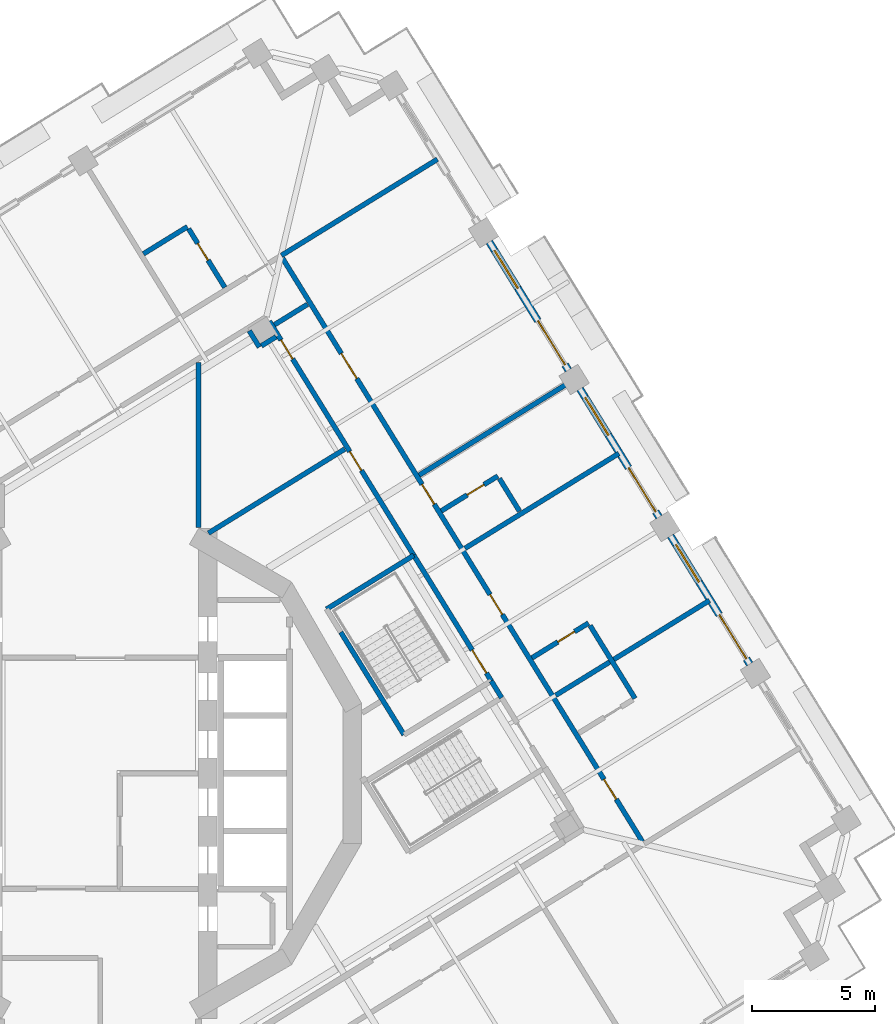
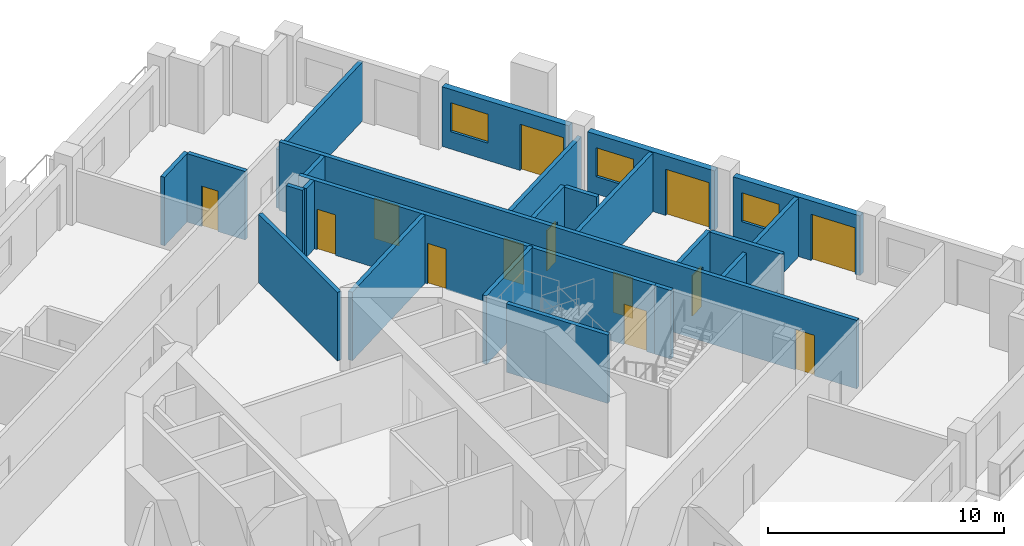
# One storey, part 12 of 22: 24 walls, 13 doors, 3 windows, 16 openings.
"""IFC4 building model written with IfcOpenShell, lengths in metres."""

from ifc_helpers import new_model, si_unit, direction, frame, frame_2d, origin, place, context, subcontext, project, spatial, rectangle, extrude, material, layer, layer_set, type_object, element, fill, save


model = new_model("IFC4")

# Units and contexts
model_context = context("Model", 3, precision=1e-05, world=origin(), true_north=direction((0.0, 1.0)))
body_context = subcontext(model_context, "Body", "Model", "MODEL_VIEW")
ifc_project = project(units=[si_unit("LENGTHUNIT", "METRE"), si_unit("AREAUNIT", "SQUARE_METRE"), si_unit("VOLUMEUNIT", "CUBIC_METRE"), si_unit("PLANEANGLEUNIT", "RADIAN"), si_unit("MASSUNIT", "GRAM", prefix="KILO")], contexts=[model_context])

# Site, building, storey
site_placement = place(None, origin())
site = spatial("IfcSite", under=ifc_project, at=site_placement, CompositionType="ELEMENT")
building_placement = place(site_placement, origin())
building = spatial("IfcBuilding", under=site, at=building_placement, Name="Cantera Rosa Tower", CompositionType="ELEMENT")
storey_placement = place(building_placement, frame((0.0, 0.0, 166.60009765625)))
storey = spatial("IfcBuildingStorey", under=building, at=storey_placement, Name="L36", CompositionType="ELEMENT", Elevation=166.60009765625)

# Walls
ifc_material_1 = material(Name="Gypsum board partition")
ifc_layer_1 = layer(ifc_material_1, 0.199951171875)
ifc_layer_set_1 = layer_set([ifc_layer_1], Name="CORRIDOR WALL 200 H3550")
wall_type_1 = type_object("IfcWallType", Name="CORRIDOR WALL 200 H3550", PredefinedType="PARTITIONING", material=ifc_layer_set_1)
wall_1_placement = place(storey_placement, frame((4.0, 9.994140625, 0.0), z_axis=(0.0, 0.0, 1.0), x_axis=(0.0, 1.0, 0.0)))
element("IfcWall", 1, at=wall_1_placement, inside=storey, type_object=wall_type_1, Name="CORRIDOR WALL L36-078", PredefinedType="PARTITIONING", context=body_context, shape_type="SweptSolid", body=[
    extrude(rectangle(XDim=6.7060546875, YDim=0.199951171875, at=frame_2d((3.35302734375, 0.0))), origin(), (0.0, 0.0, 1.0), 3.5498046875),
])
wall_2_placement = place(storey_placement, frame((7.08154296875, 18.234619140625, 0.0), z_axis=(0.0, 0.0, 1.0), x_axis=(0.8511858258, 0.524864449127, 0.0)))
element("IfcWall", 2, at=wall_2_placement, inside=storey, type_object=wall_type_1, Name="CORRIDOR WALL L36-091", PredefinedType="PARTITIONING", context=body_context, shape_type="SweptSolid", body=[
    extrude(rectangle(XDim=1.580078125, YDim=0.199951171875, at=frame_2d((0.7900390625, 0.0))), origin(), (0.0, 0.0, 1.0), 3.5498046875),
])

# Wall, openings, doors
wall_3_placement = place(storey_placement, frame((12.74560546875, 8.861328125, 0.0), z_axis=(0.0, 0.0, 1.0), x_axis=(-0.524978093765, 0.851115738937, 0.0)))
wall_3 = element("IfcWall", 3, at=wall_3_placement, inside=storey, type_object=wall_type_1, Name="CORRIDOR WALL L36-106", PredefinedType="PARTITIONING", context=body_context, shape_type="SweptSolid", body=[
    extrude(rectangle(XDim=11.17919921875, YDim=0.199951171875, at=frame_2d((5.589599609375, 0.0))), origin(), (0.0, 0.0, 1.0), 3.5498046875),
])
opening_1_placement = place(wall_3_placement, frame((4.055419921875, 0.0, 0.0)))
opening_1 = element("IfcOpeningElement", 4, at=opening_1_placement, cuts=wall_3, Name="Opening L36-005", PredefinedType="OPENING", context=body_context, shape_type="SweptSolid", body=[
    extrude(rectangle(XDim=0.89990234375, YDim=2.10009765625, at=frame_2d((0.449951171875, 1.050048828125))), frame((0.0, 0.10986328125, 0.0), z_axis=(0.0, -1.0, 0.0), x_axis=(1.0, 0.0, 0.0)), (0.0, 0.0, 1.0), 0.219970703125),
])
opening_2_placement = place(wall_3_placement, frame((9.38037109375, 0.0, 0.0)))
opening_2 = element("IfcOpeningElement", 5, at=opening_2_placement, cuts=wall_3, Name="Opening L36-006", PredefinedType="OPENING", context=body_context, shape_type="SweptSolid", body=[
    extrude(rectangle(XDim=0.89990234375, YDim=2.10009765625, at=frame_2d((0.449951171875, 1.050048828125))), frame((0.0, 0.10986328125, 0.0), z_axis=(0.0, -1.0, 0.0), x_axis=(1.0, 0.0, 0.0)), (0.0, 0.0, 1.0), 0.219970703125),
])
ifc_material_2 = material(Name="Timber door leaf", Category="wood")
door_type_1 = type_object("IfcDoorType", Name="SERVICE DOOR 900x2100", OperationType="NOTDEFINED", PredefinedType="DOOR", material=ifc_material_2)
door_1_placement = place(opening_1_placement, origin())
door_1 = element("IfcDoor", 6, at=door_1_placement, inside=storey, type_object=door_type_1, Name="DOOR L36-005", OperationType="NOTDEFINED", OverallHeight=2.10009765625, OverallWidth=0.89990234375, PredefinedType="DOOR", context=body_context, shape_type="SweptSolid", body=[
    extrude(rectangle(XDim=0.89990234375, YDim=2.10009765625, at=frame_2d((0.449951171875, 1.050048828125))), frame((0.0, 0.02490234375, 0.0), z_axis=(0.0, -1.0, 0.0), x_axis=(1.0, 0.0, 0.0)), (0.0, 0.0, 1.0), 0.050048828125),
])
fill(opening_1, door_1)
door_2_placement = place(opening_2_placement, origin())
door_2 = element("IfcDoor", 7, at=door_2_placement, inside=storey, type_object=door_type_1, Name="DOOR L36-006", OperationType="NOTDEFINED", OverallHeight=2.10009765625, OverallWidth=0.89990234375, PredefinedType="DOOR", context=body_context, shape_type="SweptSolid", body=[
    extrude(rectangle(XDim=0.89990234375, YDim=2.10009765625, at=frame_2d((0.449951171875, 1.050048828125))), frame((0.0, 0.02490234375, 0.0), z_axis=(0.0, -1.0, 0.0), x_axis=(1.0, 0.0, 0.0)), (0.0, 0.0, 1.0), 0.050048828125),
])
fill(opening_2, door_2)

# Wall
wall_4_placement = place(storey_placement, frame((16.31591796875, 3.072998046875, 0.0), z_axis=(0.0, 0.0, 1.0), x_axis=(-0.524947597637, 0.85113454855, 0.0)))
element("IfcWall", 8, at=wall_4_placement, inside=storey, type_object=wall_type_1, Name="CORRIDOR WALL L36-114", PredefinedType="PARTITIONING", context=body_context, shape_type="SweptSolid", body=[
    extrude(rectangle(XDim=0.80078125, YDim=0.199951171875, at=frame_2d((0.400390625, 0.0))), origin(), (0.0, 0.0, 1.0), 3.5498046875),
])

# Wall, openings, doors
wall_5_placement = place(storey_placement, frame((22.037109375, -2.77392578125, 0.0), z_axis=(0.0, 0.0, 1.0), x_axis=(-0.524972822247, 0.851118990448, 0.0)))
wall_5 = element("IfcWall", 9, at=wall_5_placement, inside=storey, type_object=wall_type_1, Name="CORRIDOR WALL L36-126", PredefinedType="PARTITIONING", context=body_context, shape_type="SweptSolid", body=[
    extrude(rectangle(XDim=27.85986328125, YDim=0.199951171875, at=frame_2d((13.929931640625, 0.0))), origin(), (0.0, 0.0, 1.0), 3.5498046875),
])
opening_3_placement = place(wall_5_placement, frame((2.02001953125, 0.0, 0.0)))
opening_3 = element("IfcOpeningElement", 10, at=opening_3_placement, cuts=wall_5, Name="Opening L36-021", PredefinedType="OPENING", context=body_context, shape_type="SweptSolid", body=[
    extrude(rectangle(XDim=0.949951171875, YDim=2.10009765625, at=frame_2d((0.47509765625, 1.050048828125))), frame((0.0, 0.10986328125, 0.0), z_axis=(0.0, -1.0, 0.0), x_axis=(1.0, 0.0, 0.0)), (0.0, 0.0, 1.0), 0.219970703125),
])
opening_4_placement = place(wall_5_placement, frame((10.844970703125, 0.0, 0.0)))
opening_4 = element("IfcOpeningElement", 11, at=opening_4_placement, cuts=wall_5, Name="Opening L36-023", PredefinedType="OPENING", context=body_context, shape_type="SweptSolid", body=[
    extrude(rectangle(XDim=0.949951171875, YDim=2.10009765625, at=frame_2d((0.47509765625, 1.050048828125))), frame((0.0, 0.10986328125, 0.0), z_axis=(0.0, -1.0, 0.0), x_axis=(1.0, 0.0, 0.0)), (0.0, 0.0, 1.0), 0.219970703125),
])
opening_5_placement = place(wall_5_placement, frame((22.110107421875, 0.0, 0.0)))
opening_5 = element("IfcOpeningElement", 12, at=opening_5_placement, cuts=wall_5, Name="Opening L36-025", PredefinedType="OPENING", context=body_context, shape_type="SweptSolid", body=[
    extrude(rectangle(XDim=1.199951171875, YDim=2.10009765625, at=frame_2d((0.60009765625, 1.050048828125))), frame((0.0, 0.10986328125, 0.0), z_axis=(0.0, -1.0, 0.0), x_axis=(1.0, 0.0, 0.0)), (0.0, 0.0, 1.0), 0.219970703125),
])
opening_6_placement = place(wall_5_placement, frame((16.110107421875, 0.0, 0.0)))
opening_6 = element("IfcOpeningElement", 13, at=opening_6_placement, cuts=wall_5, Name="Opening L36-026", PredefinedType="OPENING", context=body_context, shape_type="SweptSolid", body=[
    extrude(rectangle(XDim=0.949951171875, YDim=2.10009765625, at=frame_2d((0.47509765625, 1.050048828125))), frame((0.0, 0.10986328125, 0.0), z_axis=(0.0, -1.0, 0.0), x_axis=(1.0, 0.0, 0.0)), (0.0, 0.0, 1.0), 0.219970703125),
])
ifc_material_3 = material(Name="Timber door leaf", Category="wood")
door_type_2 = type_object("IfcDoorType", Name="ROOM DOOR 1200x2100", OperationType="NOTDEFINED", PredefinedType="DOOR", material=ifc_material_3)
door_3_placement = place(opening_5_placement, origin())
door_3 = element("IfcDoor", 14, at=door_3_placement, inside=storey, type_object=door_type_2, Name="DOOR L36-025", OperationType="NOTDEFINED", OverallHeight=2.10009765625, OverallWidth=1.199951171875, PredefinedType="DOOR", context=body_context, shape_type="SweptSolid", body=[
    extrude(rectangle(XDim=1.199951171875, YDim=2.10009765625, at=frame_2d((0.60009765625, 1.050048828125))), frame((0.0, 0.02490234375, 0.0), z_axis=(0.0, -1.0, 0.0), x_axis=(1.0, 0.0, 0.0)), (0.0, 0.0, 1.0), 0.050048828125),
])
fill(opening_5, door_3)
ifc_material_4 = material(Name="Timber door leaf", Category="wood")
door_type_3 = type_object("IfcDoorType", Name="ROOM DOOR 950x2100", OperationType="NOTDEFINED", PredefinedType="DOOR", material=ifc_material_4)
door_4_placement = place(opening_3_placement, origin())
door_4 = element("IfcDoor", 15, at=door_4_placement, inside=storey, type_object=door_type_3, Name="DOOR L36-021", OperationType="NOTDEFINED", OverallHeight=2.10009765625, OverallWidth=0.949951171875, PredefinedType="DOOR", context=body_context, shape_type="SweptSolid", body=[
    extrude(rectangle(XDim=0.949951171875, YDim=2.10009765625, at=frame_2d((0.47509765625, 1.050048828125))), frame((0.0, 0.02490234375, 0.0), z_axis=(0.0, -1.0, 0.0), x_axis=(1.0, 0.0, 0.0)), (0.0, 0.0, 1.0), 0.050048828125),
])
fill(opening_3, door_4)
door_5_placement = place(opening_4_placement, origin())
door_5 = element("IfcDoor", 16, at=door_5_placement, inside=storey, type_object=door_type_3, Name="DOOR L36-023", OperationType="NOTDEFINED", OverallHeight=2.10009765625, OverallWidth=0.949951171875, PredefinedType="DOOR", context=body_context, shape_type="SweptSolid", body=[
    extrude(rectangle(XDim=0.949951171875, YDim=2.10009765625, at=frame_2d((0.47509765625, 1.050048828125))), frame((0.0, 0.02490234375, 0.0), z_axis=(0.0, -1.0, 0.0), x_axis=(1.0, 0.0, 0.0)), (0.0, 0.0, 1.0), 0.050048828125),
])
fill(opening_4, door_5)
door_6_placement = place(opening_6_placement, origin())
door_6 = element("IfcDoor", 17, at=door_6_placement, inside=storey, type_object=door_type_3, Name="DOOR L36-026", OperationType="NOTDEFINED", OverallHeight=2.10009765625, OverallWidth=0.949951171875, PredefinedType="DOOR", context=body_context, shape_type="SweptSolid", body=[
    extrude(rectangle(XDim=0.949951171875, YDim=2.10009765625, at=frame_2d((0.47509765625, 1.050048828125))), frame((0.0, 0.02490234375, 0.0), z_axis=(0.0, -1.0, 0.0), x_axis=(1.0, 0.0, 0.0)), (0.0, 0.0, 1.0), 0.050048828125),
])
fill(opening_6, door_6)

# Wall, openings, window, door
ifc_material_5 = material(Name="Hollow clay masonry with cantera stone cladding", Category="masonry")
ifc_layer_2 = layer(ifc_material_5, 0.300048828125)
ifc_layer_set_2 = layer_set([ifc_layer_2], Name="EW-LOGGIA 300 H3090")
wall_type_2 = type_object("IfcWallType", Name="EW-LOGGIA 300 H3090", PredefinedType="SOLIDWALL", material=ifc_layer_set_2)
wall_6_placement = place(storey_placement, frame((26.3994140625, 4.440185546875, 0.0), z_axis=(0.0, 0.0, 1.0), x_axis=(-0.524987447654, 0.851109969279, 0.0)))
wall_6 = element("IfcWall", 18, at=wall_6_placement, inside=storey, type_object=wall_type_2, Name="EN-L36-W02", PredefinedType="SOLIDWALL", context=body_context, shape_type="SweptSolid", body=[
    extrude(rectangle(XDim=6.119873046875, YDim=0.300048828125, at=frame_2d((3.06005859375, 0.0))), origin(), (0.0, 0.0, 1.0), 3.08984375),
])
opening_7_placement = place(wall_6_placement, frame((0.2548828125, 0.0, 0.0)))
opening_7 = element("IfcOpeningElement", 19, at=opening_7_placement, cuts=wall_6, Name="Opening L36-TD03", PredefinedType="OPENING", context=body_context, shape_type="SweptSolid", body=[
    extrude(rectangle(XDim=2.10009765625, YDim=2.39990234375, at=frame_2d((1.050048828125, 1.199951171875))), frame((0.0, 0.159912109375, 0.0), z_axis=(0.0, -1.0, 0.0), x_axis=(1.0, 0.0, 0.0)), (0.0, 0.0, 1.0), 0.320068359375),
])
opening_8_placement = place(wall_6_placement, frame((3.9150390625, 0.0, 0.89990234375)))
opening_8 = element("IfcOpeningElement", 20, at=opening_8_placement, cuts=wall_6, Name="Opening L36-W04", PredefinedType="OPENING", context=body_context, shape_type="SweptSolid", body=[
    extrude(rectangle(XDim=1.800048828125, YDim=1.5, at=frame_2d((0.89990234375, 0.75))), frame((0.0, 0.159912109375, 0.0), z_axis=(0.0, -1.0, 0.0), x_axis=(1.0, 0.0, 0.0)), (0.0, 0.0, 1.0), 0.320068359375),
])
ifc_material_6 = material(Name="Aluminium frame with clear glass", Category="aluminium")
window_type = type_object("IfcWindowType", Name="Hotel room window 1800x1500", PartitioningType="DOUBLE_PANEL_VERTICAL", PredefinedType="WINDOW", material=ifc_material_6)
window_1_placement = place(opening_8_placement, origin())
window_1 = element("IfcWindow", 21, at=window_1_placement, inside=storey, type_object=window_type, Name="WINDOW L36-W04", OverallHeight=1.5, OverallWidth=1.800048828125, PartitioningType="SINGLE_PANEL", PredefinedType="WINDOW", context=body_context, shape_type="SweptSolid", body=[
    extrude(rectangle(XDim=1.800048828125, YDim=1.5, at=frame_2d((0.89990234375, 0.75))), frame((0.0, 0.030029296875, 0.0), z_axis=(0.0, -1.0, 0.0), x_axis=(1.0, 0.0, 0.0)), (0.0, 0.0, 1.0), 0.06005859375),
])
fill(opening_8, window_1)
ifc_material_7 = material(Name="Aluminium frame with clear glass", Category="aluminium")
door_type_4 = type_object("IfcDoorType", Name="TD-H 2100x2400", OperationType="NOTDEFINED", PredefinedType="DOOR", material=ifc_material_7)
door_7_placement = place(opening_7_placement, origin())
door_7 = element("IfcDoor", 22, at=door_7_placement, inside=storey, type_object=door_type_4, Name="LOGGIA DOOR L36-TD03", OperationType="SLIDING_TO_LEFT", OverallHeight=2.39990234375, OverallWidth=2.10009765625, PredefinedType="DOOR", context=body_context, shape_type="SweptSolid", body=[
    extrude(rectangle(XDim=2.10009765625, YDim=2.39990234375, at=frame_2d((1.050048828125, 1.199951171875))), frame((0.0, 0.02490234375, 0.0), z_axis=(0.0, -1.0, 0.0), x_axis=(1.0, 0.0, 0.0)), (0.0, 0.0, 1.0), 0.050048828125),
])
fill(opening_7, door_7)

wall_7_placement = place(storey_placement, frame((22.714111328125, 10.4150390625, 0.0), z_axis=(0.0, 0.0, 1.0), x_axis=(-0.524987447654, 0.851109969279, 0.0)))
wall_7 = element("IfcWall", 23, at=wall_7_placement, inside=storey, type_object=wall_type_2, Name="EN-L36-W03", PredefinedType="SOLIDWALL", context=body_context, shape_type="SweptSolid", body=[
    extrude(rectangle(XDim=6.119873046875, YDim=0.300048828125, at=frame_2d((3.06005859375, 0.0))), origin(), (0.0, 0.0, 1.0), 3.08984375),
])
opening_9_placement = place(wall_7_placement, frame((0.2548828125, 0.0, 0.0)))
opening_9 = element("IfcOpeningElement", 24, at=opening_9_placement, cuts=wall_7, Name="Opening L36-TD05", PredefinedType="OPENING", context=body_context, shape_type="SweptSolid", body=[
    extrude(rectangle(XDim=2.10009765625, YDim=2.39990234375, at=frame_2d((1.050048828125, 1.199951171875))), frame((0.0, 0.159912109375, 0.0), z_axis=(0.0, -1.0, 0.0), x_axis=(1.0, 0.0, 0.0)), (0.0, 0.0, 1.0), 0.320068359375),
])
opening_10_placement = place(wall_7_placement, frame((3.9150390625, 0.0, 0.89990234375)))
opening_10 = element("IfcOpeningElement", 25, at=opening_10_placement, cuts=wall_7, Name="Opening L36-W06", PredefinedType="OPENING", context=body_context, shape_type="SweptSolid", body=[
    extrude(rectangle(XDim=1.800048828125, YDim=1.5, at=frame_2d((0.89990234375, 0.75))), frame((0.0, 0.159912109375, 0.0), z_axis=(0.0, -1.0, 0.0), x_axis=(1.0, 0.0, 0.0)), (0.0, 0.0, 1.0), 0.320068359375),
])
window_2_placement = place(opening_10_placement, origin())
window_2 = element("IfcWindow", 26, at=window_2_placement, inside=storey, type_object=window_type, Name="WINDOW L36-W06", OverallHeight=1.5, OverallWidth=1.800048828125, PartitioningType="SINGLE_PANEL", PredefinedType="WINDOW", context=body_context, shape_type="SweptSolid", body=[
    extrude(rectangle(XDim=1.800048828125, YDim=1.5, at=frame_2d((0.89990234375, 0.75))), frame((0.0, 0.030029296875, 0.0), z_axis=(0.0, -1.0, 0.0), x_axis=(1.0, 0.0, 0.0)), (0.0, 0.0, 1.0), 0.06005859375),
])
fill(opening_10, window_2)
door_8_placement = place(opening_9_placement, origin())
door_8 = element("IfcDoor", 27, at=door_8_placement, inside=storey, type_object=door_type_4, Name="LOGGIA DOOR L36-TD05", OperationType="SLIDING_TO_LEFT", OverallHeight=2.39990234375, OverallWidth=2.10009765625, PredefinedType="DOOR", context=body_context, shape_type="SweptSolid", body=[
    extrude(rectangle(XDim=2.10009765625, YDim=2.39990234375, at=frame_2d((1.050048828125, 1.199951171875))), frame((0.0, 0.02490234375, 0.0), z_axis=(0.0, -1.0, 0.0), x_axis=(1.0, 0.0, 0.0)), (0.0, 0.0, 1.0), 0.050048828125),
])
fill(opening_9, door_8)

wall_8_placement = place(storey_placement, frame((19.02880859375, 16.389892578125, 0.0), z_axis=(0.0, 0.0, 1.0), x_axis=(-0.524987447654, 0.851109969279, 0.0)))
wall_8 = element("IfcWall", 28, at=wall_8_placement, inside=storey, type_object=wall_type_2, Name="EN-L36-W04", PredefinedType="SOLIDWALL", context=body_context, shape_type="SweptSolid", body=[
    extrude(rectangle(XDim=6.119873046875, YDim=0.300048828125, at=frame_2d((3.06005859375, 0.0))), origin(), (0.0, 0.0, 1.0), 3.08984375),
])
opening_11_placement = place(wall_8_placement, frame((0.2548828125, 0.0, 0.0)))
opening_11 = element("IfcOpeningElement", 29, at=opening_11_placement, cuts=wall_8, Name="Opening L36-TD07", PredefinedType="OPENING", context=body_context, shape_type="SweptSolid", body=[
    extrude(rectangle(XDim=2.10009765625, YDim=2.39990234375, at=frame_2d((1.050048828125, 1.199951171875))), frame((0.0, 0.159912109375, 0.0), z_axis=(0.0, -1.0, 0.0), x_axis=(1.0, 0.0, 0.0)), (0.0, 0.0, 1.0), 0.320068359375),
])
opening_12_placement = place(wall_8_placement, frame((3.9150390625, 0.0, 0.89990234375)))
opening_12 = element("IfcOpeningElement", 30, at=opening_12_placement, cuts=wall_8, Name="Opening L36-W08", PredefinedType="OPENING", context=body_context, shape_type="SweptSolid", body=[
    extrude(rectangle(XDim=1.800048828125, YDim=1.5, at=frame_2d((0.89990234375, 0.75))), frame((0.0, 0.159912109375, 0.0), z_axis=(0.0, -1.0, 0.0), x_axis=(1.0, 0.0, 0.0)), (0.0, 0.0, 1.0), 0.320068359375),
])
window_3_placement = place(opening_12_placement, origin())
window_3 = element("IfcWindow", 31, at=window_3_placement, inside=storey, type_object=window_type, Name="WINDOW L36-W08", OverallHeight=1.5, OverallWidth=1.800048828125, PartitioningType="SINGLE_PANEL", PredefinedType="WINDOW", context=body_context, shape_type="SweptSolid", body=[
    extrude(rectangle(XDim=1.800048828125, YDim=1.5, at=frame_2d((0.89990234375, 0.75))), frame((0.0, 0.030029296875, 0.0), z_axis=(0.0, -1.0, 0.0), x_axis=(1.0, 0.0, 0.0)), (0.0, 0.0, 1.0), 0.06005859375),
])
fill(opening_12, window_3)
door_9_placement = place(opening_11_placement, origin())
door_9 = element("IfcDoor", 32, at=door_9_placement, inside=storey, type_object=door_type_4, Name="LOGGIA DOOR L36-TD07", OperationType="SLIDING_TO_LEFT", OverallHeight=2.39990234375, OverallWidth=2.10009765625, PredefinedType="DOOR", context=body_context, shape_type="SweptSolid", body=[
    extrude(rectangle(XDim=2.10009765625, YDim=2.39990234375, at=frame_2d((1.050048828125, 1.199951171875))), frame((0.0, 0.02490234375, 0.0), z_axis=(0.0, -1.0, 0.0), x_axis=(1.0, 0.0, 0.0)), (0.0, 0.0, 1.0), 0.050048828125),
])
fill(opening_11, door_9)

# Wall
ifc_material_8 = material(Name="Gypsum board partition")
ifc_layer_3 = layer(ifc_material_8, 0.199951171875)
ifc_layer_set_3 = layer_set([ifc_layer_3], Name="PARTITION 200 H3550")
wall_type_3 = type_object("IfcWallType", Name="PARTITION 200 H3550", PredefinedType="PARTITIONING", material=ifc_layer_set_3)
wall_9_placement = place(storey_placement, frame((1.756103515625, 21.11572265625, 0.0), z_axis=(0.0, 0.0, 1.0), x_axis=(0.851099012787, 0.52500520991, 0.0)))
element("IfcWall", 33, at=wall_9_placement, inside=storey, type_object=wall_type_3, Name="PARTITION L36-073", PredefinedType="PARTITIONING", context=body_context, shape_type="SweptSolid", body=[
    extrude(rectangle(XDim=2.10009765625, YDim=0.199951171875, at=frame_2d((1.050048828125, 0.0))), origin(), (0.0, 0.0, 1.0), 3.5498046875),
])

# Wall, opening, door
wall_10_placement = place(storey_placement, frame((3.595947265625, 22.133056640625, 0.0), z_axis=(0.0, 0.0, 1.0), x_axis=(0.524997143301, -0.851103988667, 0.0)))
wall_10 = element("IfcWall", 34, at=wall_10_placement, inside=storey, type_object=wall_type_3, Name="PARTITION L36-074", PredefinedType="PARTITIONING", context=body_context, shape_type="SweptSolid", body=[
    extrude(rectangle(XDim=2.800048828125, YDim=0.199951171875, at=frame_2d((1.39990234375, 0.0))), origin(), (0.0, 0.0, 1.0), 3.5498046875),
])
opening_13_placement = place(wall_10_placement, frame((0.699951171875, 0.0, 0.0)))
opening_13 = element("IfcOpeningElement", 35, at=opening_13_placement, cuts=wall_10, Name="Opening L36-034", PredefinedType="OPENING", context=body_context, shape_type="SweptSolid", body=[
    extrude(rectangle(XDim=0.800048828125, YDim=2.10009765625, at=frame_2d((0.39990234375, 1.050048828125))), frame((0.0, 0.10986328125, 0.0), z_axis=(0.0, -1.0, 0.0), x_axis=(1.0, 0.0, 0.0)), (0.0, 0.0, 1.0), 0.219970703125),
])
ifc_material_9 = material(Name="Timber door leaf", Category="wood")
door_type_5 = type_object("IfcDoorType", Name="BATHROOM DOOR 800x2100", OperationType="NOTDEFINED", PredefinedType="DOOR", material=ifc_material_9)
door_10_placement = place(opening_13_placement, origin())
door_10 = element("IfcDoor", 36, at=door_10_placement, inside=storey, type_object=door_type_5, Name="DOOR L36-034", OperationType="NOTDEFINED", OverallHeight=2.10009765625, OverallWidth=0.800048828125, PredefinedType="DOOR", context=body_context, shape_type="SweptSolid", body=[
    extrude(rectangle(XDim=0.800048828125, YDim=2.10009765625, at=frame_2d((0.39990234375, 1.050048828125))), frame((0.0, 0.02490234375, 0.0), z_axis=(0.0, -1.0, 0.0), x_axis=(1.0, 0.0, 0.0)), (0.0, 0.0, 1.0), 0.050048828125),
])
fill(opening_13, door_10)

# Walls
wall_11_placement = place(storey_placement, frame((4.399658203125, 9.763427734375, 0.0), z_axis=(0.0, 0.0, 1.0), x_axis=(0.85111445417, 0.524980176676, 0.0)))
element("IfcWall", 37, at=wall_11_placement, inside=storey, type_object=wall_type_3, Name="PARTITION L36-079", PredefinedType="PARTITIONING", context=body_context, shape_type="SweptSolid", body=[
    extrude(rectangle(XDim=6.509765625, YDim=0.199951171875, at=frame_2d((3.2548828125, 0.0))), origin(), (0.0, 0.0, 1.0), 3.5498046875),
])
wall_12_placement = place(storey_placement, frame((6.058349609375, 17.98876953125, 0.0), z_axis=(0.0, 0.0, 1.0), x_axis=(0.524813124932, -0.851217471566, 0.0)))
element("IfcWall", 38, at=wall_12_placement, inside=storey, type_object=wall_type_3, Name="PARTITION L36-085", PredefinedType="PARTITIONING", context=body_context, shape_type="SweptSolid", body=[
    extrude(rectangle(XDim=0.780029296875, YDim=0.199951171875, at=frame_2d((0.39013671875, 0.0))), origin(), (0.0, 0.0, 1.0), 3.5498046875),
])
wall_13_placement = place(storey_placement, frame((6.552978515625, 17.377197265625, 0.0), z_axis=(0.0, 0.0, 1.0), x_axis=(0.850963051828, 0.52522555576, 0.0)))
element("IfcWall", 39, at=wall_13_placement, inside=storey, type_object=wall_type_3, Name="PARTITION L36-087", PredefinedType="PARTITIONING", context=body_context, shape_type="SweptSolid", body=[
    extrude(rectangle(XDim=0.699951171875, YDim=0.199951171875, at=frame_2d((0.35009765625, 0.0))), origin(), (0.0, 0.0, 1.0), 3.5498046875),
])

# Wall, opening, door
wall_14_placement = place(storey_placement, frame((13.864501953125, 10.66650390625, 0.0), z_axis=(0.0, 0.0, 1.0), x_axis=(0.85111767641, 0.524974952644, 0.0)))
wall_14 = element("IfcWall", 40, at=wall_14_placement, inside=storey, type_object=wall_type_3, Name="PARTITION L36-109", PredefinedType="PARTITIONING", context=body_context, shape_type="SweptSolid", body=[
    extrude(rectangle(XDim=2.7001953125, YDim=0.199951171875, at=frame_2d((1.35009765625, 0.0))), origin(), (0.0, 0.0, 1.0), 3.5498046875),
])
opening_14_placement = place(wall_14_placement, frame((1.236083984375, 0.0, 0.0)))
opening_14 = element("IfcOpeningElement", 41, at=opening_14_placement, cuts=wall_14, Name="Opening L36-027", PredefinedType="OPENING", context=body_context, shape_type="SweptSolid", body=[
    extrude(rectangle(XDim=0.800048828125, YDim=2.10009765625, at=frame_2d((0.39990234375, 1.050048828125))), frame((0.0, 0.10986328125, 0.0), z_axis=(0.0, -1.0, 0.0), x_axis=(1.0, 0.0, 0.0)), (0.0, 0.0, 1.0), 0.219970703125),
])
door_11_placement = place(opening_14_placement, origin())
door_11 = element("IfcDoor", 42, at=door_11_placement, inside=storey, type_object=door_type_5, Name="DOOR L36-027", OperationType="NOTDEFINED", OverallHeight=2.10009765625, OverallWidth=0.800048828125, PredefinedType="DOOR", context=body_context, shape_type="SweptSolid", body=[
    extrude(rectangle(XDim=0.800048828125, YDim=2.10009765625, at=frame_2d((0.39990234375, 1.050048828125))), frame((0.0, 0.02490234375, 0.0), z_axis=(0.0, -1.0, 0.0), x_axis=(1.0, 0.0, 0.0)), (0.0, 0.0, 1.0), 0.050048828125),
])
fill(opening_14, door_11)

# Wall
wall_15_placement = place(storey_placement, frame((16.2255859375, 11.98193359375, 0.0), z_axis=(0.0, 0.0, 1.0), x_axis=(0.524952958213, -0.851131242326, 0.0)))
element("IfcWall", 43, at=wall_15_placement, inside=storey, type_object=wall_type_3, Name="PARTITION L36-113", PredefinedType="PARTITIONING", context=body_context, shape_type="SweptSolid", body=[
    extrude(rectangle(XDim=1.559814453125, YDim=0.199951171875, at=frame_2d((0.77978515625, 0.0))), origin(), (0.0, 0.0, 1.0), 3.5498046875),
])

# Wall, opening, door
wall_16_placement = place(storey_placement, frame((17.5498046875, 4.69189453125, 0.0), z_axis=(0.0, 0.0, 1.0), x_axis=(0.851158076586, 0.524909448059, 0.0)))
wall_16 = element("IfcWall", 44, at=wall_16_placement, inside=storey, type_object=wall_type_3, Name="PARTITION L36-115", PredefinedType="PARTITIONING", context=body_context, shape_type="SweptSolid", body=[
    extrude(rectangle(XDim=2.699951171875, YDim=0.199951171875, at=frame_2d((1.35009765625, 0.0))), origin(), (0.0, 0.0, 1.0), 3.5498046875),
])
opening_15_placement = place(wall_16_placement, frame((1.236083984375, 0.0, 0.0)))
opening_15 = element("IfcOpeningElement", 45, at=opening_15_placement, cuts=wall_16, Name="Opening L36-024", PredefinedType="OPENING", context=body_context, shape_type="SweptSolid", body=[
    extrude(rectangle(XDim=0.800048828125, YDim=2.10009765625, at=frame_2d((0.39990234375, 1.050048828125))), frame((0.0, 0.10986328125, 0.0), z_axis=(0.0, -1.0, 0.0), x_axis=(1.0, 0.0, 0.0)), (0.0, 0.0, 1.0), 0.219970703125),
])
door_12_placement = place(opening_15_placement, origin())
door_12 = element("IfcDoor", 46, at=door_12_placement, inside=storey, type_object=door_type_5, Name="DOOR L36-024", OperationType="NOTDEFINED", OverallHeight=2.10009765625, OverallWidth=0.800048828125, PredefinedType="DOOR", context=body_context, shape_type="SweptSolid", body=[
    extrude(rectangle(XDim=0.800048828125, YDim=2.10009765625, at=frame_2d((0.39990234375, 1.050048828125))), frame((0.0, 0.02490234375, 0.0), z_axis=(0.0, -1.0, 0.0), x_axis=(1.0, 0.0, 0.0)), (0.0, 0.0, 1.0), 0.050048828125),
])
fill(opening_15, door_12)

# Walls
wall_17_placement = place(storey_placement, frame((19.910888671875, 6.007080078125, 0.0), z_axis=(0.0, 0.0, 1.0), x_axis=(0.524970023386, -0.851120716788, 0.0)))
element("IfcWall", 47, at=wall_17_placement, inside=storey, type_object=wall_type_3, Name="PARTITION L36-124", PredefinedType="PARTITIONING", context=body_context, shape_type="SweptSolid", body=[
    extrude(rectangle(XDim=3.47998046875, YDim=0.199951171875, at=frame_2d((1.739990234375, 0.0))), origin(), (0.0, 0.0, 1.0), 3.5498046875),
])
ifc_material_10 = material(Name="Gypsum board partition")
ifc_layer_4 = layer(ifc_material_10, 0.199951171875)
ifc_layer_set_4 = layer_set([ifc_layer_4], Name="PARTY WALL 200 H2650")
wall_type_4 = type_object("IfcWallType", Name="PARTY WALL 200 H2650", PredefinedType="PARTITIONING", material=ifc_layer_set_4)
wall_18_placement = place(storey_placement, frame((12.966796875, 12.1220703125, 0.0), z_axis=(0.0, 0.0, 1.0), x_axis=(0.851111911821, 0.52498429839, 0.0)))
element("IfcWall", 48, at=wall_18_placement, inside=storey, type_object=wall_type_4, Name="PARTY WALL L36-108", PredefinedType="PARTITIONING", context=body_context, shape_type="SweptSolid", body=[
    extrude(rectangle(XDim=7.3701171875, YDim=0.199951171875, at=frame_2d((3.68505859375, 0.0))), origin(), (0.0, 0.0, 1.0), 2.64990234375),
])
ifc_material_11 = material(Name="Gypsum board partition")
ifc_layer_5 = layer(ifc_material_11, 0.199951171875)
ifc_layer_set_5 = layer_set([ifc_layer_5], Name="PARTY WALL 200 H3050")
wall_type_5 = type_object("IfcWallType", Name="PARTY WALL 200 H3050", PredefinedType="PARTITIONING", material=ifc_layer_set_5)
wall_19_placement = place(storey_placement, frame((7.365478515625, 21.05078125, 0.0), z_axis=(0.0, 0.0, 1.0), x_axis=(0.851113277303, 0.524982084645, 0.0)))
element("IfcWall", 49, at=wall_19_placement, inside=storey, type_object=wall_type_5, Name="PARTY WALL L36-093", PredefinedType="PARTITIONING", context=body_context, shape_type="SweptSolid", body=[
    extrude(rectangle(XDim=7.449951171875, YDim=0.199951171875, at=frame_2d((3.72509765625, 0.0))), origin(), (0.0, 0.0, 1.0), 3.0498046875),
])
for number, where, z_axis, x_axis, name in (
    (50, (14.826416015625, 9.14501953125, 0.0), (0.0, 0.0, 1.0), (0.851118431638, 0.524973728225, 0.0), "PARTY WALL L36-110"),
    (51, (18.51171875, 3.17041015625, 0.0), (0.0, 0.0, 1.0), (0.851133272812, 0.524949666075, 0.0), "PARTY WALL L36-119"),
):
    element("IfcWall", number, at=place(storey_placement, frame(where, z_axis=z_axis, x_axis=x_axis)), inside=storey, type_object=wall_type_5, Name=name, PredefinedType="PARTITIONING", context=body_context, shape_type="SweptSolid", body=[
        extrude(rectangle(XDim=7.35009765625, YDim=0.199951171875, at=frame_2d((3.675048828125, 0.0))), origin(), (0.0, 0.0, 1.0), 3.0498046875),
    ])
ifc_material_12 = material(Name="Concrete C50/60", Category="concrete")
ifc_layer_6 = layer(ifc_material_12, 0.199951171875)
ifc_layer_set_6 = layer_set([ifc_layer_6], Name="STAIR WALL 200 H3550")
wall_type_6 = type_object("IfcWallType", Name="STAIR WALL 200 H3550", PredefinedType="SOLIDWALL", material=ifc_layer_set_6)
wall_20_placement = place(storey_placement, frame((12.74560546875, 8.861328125, 0.0), z_axis=(0.0, 0.0, 1.0), x_axis=(-0.851120688733, -0.524970068871, 0.0)))
element("IfcWall", 52, at=wall_20_placement, inside=storey, type_object=wall_type_6, Name="STAIR WALL L36-107", PredefinedType="SOLIDWALL", context=body_context, shape_type="SweptSolid", body=[
    extrude(rectangle(XDim=4.16650390625, YDim=0.199951171875, at=frame_2d((2.083251953125, 0.0))), origin(), (0.0, 0.0, 1.0), 3.5498046875),
])

# Wall, opening, door
wall_21_placement = place(storey_placement, frame((15.8955078125, 3.754638671875, 0.0), z_axis=(0.0, 0.0, 1.0), x_axis=(-0.524982543144, 0.851112994493, 0.0)))
wall_21 = element("IfcWall", 53, at=wall_21_placement, inside=storey, type_object=wall_type_6, Name="STAIR WALL L36-112", PredefinedType="SOLIDWALL", context=body_context, shape_type="SweptSolid", body=[
    extrude(rectangle(XDim=6.0, YDim=0.199951171875, at=frame_2d((3.0, 0.0))), origin(), (0.0, 0.0, 1.0), 3.5498046875),
])
opening_16_placement = place(wall_21_placement, frame((0.375, 0.0, 0.0)))
opening_16 = element("IfcOpeningElement", 54, at=opening_16_placement, cuts=wall_21, Name="Opening L36-001", PredefinedType="OPENING", context=body_context, shape_type="SweptSolid", body=[
    extrude(rectangle(XDim=1.10009765625, YDim=2.10009765625, at=frame_2d((0.550048828125, 1.050048828125))), frame((0.0, 0.10986328125, 0.0), z_axis=(0.0, -1.0, 0.0), x_axis=(1.0, 0.0, 0.0)), (0.0, 0.0, 1.0), 0.219970703125),
])
ifc_material_13 = material(Name="Steel S355J2 (EN 10025-2)", Category="steel")
door_type_6 = type_object("IfcDoorType", Name="STAIR DOOR 1100x2100", OperationType="NOTDEFINED", PredefinedType="DOOR", material=ifc_material_13)
door_13_placement = place(opening_16_placement, origin())
door_13 = element("IfcDoor", 55, at=door_13_placement, inside=storey, type_object=door_type_6, Name="DOOR L36-001", OperationType="NOTDEFINED", OverallHeight=2.10009765625, OverallWidth=1.10009765625, PredefinedType="DOOR", context=body_context, shape_type="SweptSolid", body=[
    extrude(rectangle(XDim=1.10009765625, YDim=2.10009765625, at=frame_2d((0.550048828125, 1.050048828125))), frame((0.0, 0.02490234375, 0.0), z_axis=(0.0, -1.0, 0.0), x_axis=(1.0, 0.0, 0.0)), (0.0, 0.0, 1.0), 0.050048828125),
])
fill(opening_16, door_13)

# Wall
wall_22_placement = place(storey_placement, frame((9.77685546875, 5.73779296875, 0.0), z_axis=(0.0, 0.0, 1.0), x_axis=(0.525000600504, -0.851101856108, 0.0)))
element("IfcWall", 56, at=wall_22_placement, inside=storey, type_object=wall_type_6, Name="STAIR WALL L36-099 J", PredefinedType="SOLIDWALL", context=body_context, shape_type="SweptSolid", body=[
    extrude(rectangle(XDim=4.89990234375, YDim=0.199951171875, at=frame_2d((2.449951171875, 0.0))), origin(), (0.0, 0.0, 1.0), 3.5498046875),
])

save(model, "model.ifc")
